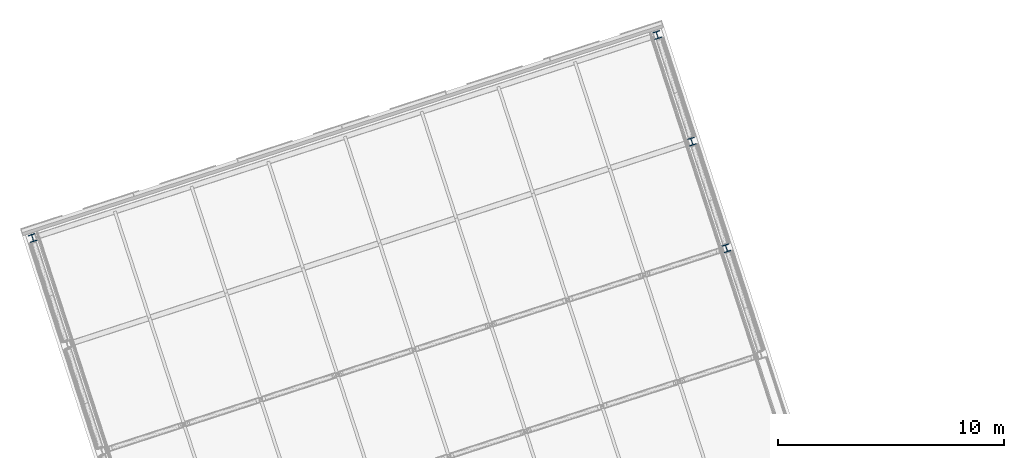
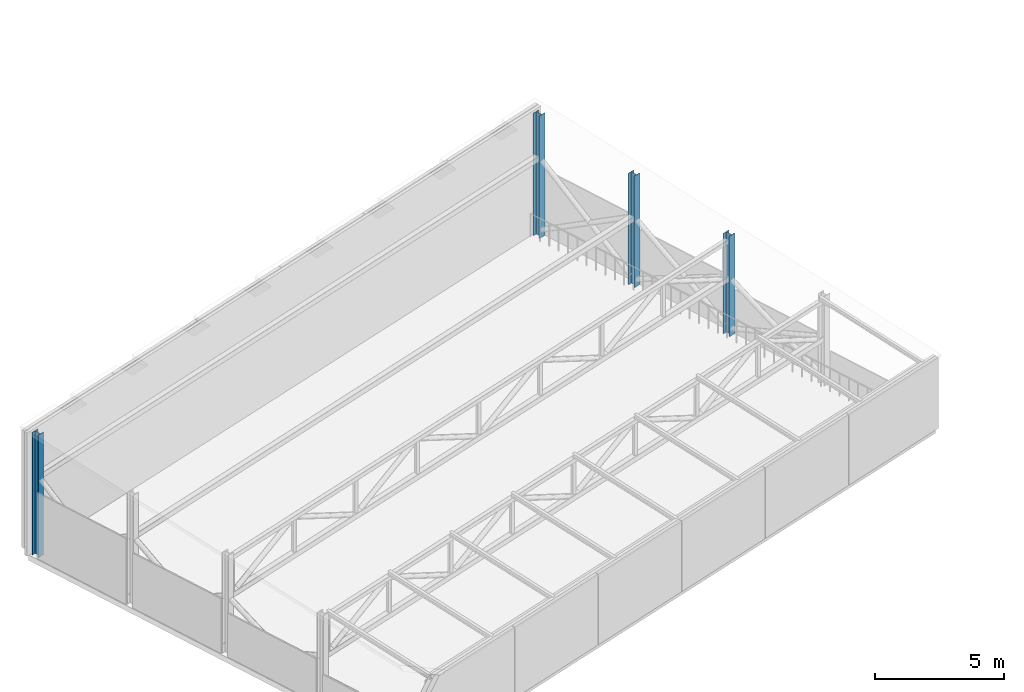
# One storey, part 3 of 49: 4 columns.
"""IFC4 building model written with IfcOpenShell, lengths in metres."""

from ifc_helpers import new_model, si_unit, direction, frame, origin, origin_2d, place, context, subcontext, project, spatial, i_section, extrude, material, material_profile, profile_set, type_object, element, save


model = new_model("IFC4")

# Units and contexts
model_context = context("Model", 3, precision=1e-05, world=origin(), true_north=direction((0.0, 1.0)))
body_context = subcontext(model_context, "Body", "Model", "MODEL_VIEW")
ifc_project = project(units=[si_unit("LENGTHUNIT", "METRE"), si_unit("AREAUNIT", "SQUARE_METRE"), si_unit("VOLUMEUNIT", "CUBIC_METRE"), si_unit("PLANEANGLEUNIT", "RADIAN"), si_unit("MASSUNIT", "GRAM", prefix="KILO")], contexts=[model_context])

# Site, building, storey
site_placement = place(None, origin())
site = spatial("IfcSite", under=ifc_project, at=site_placement, CompositionType="ELEMENT")
building_placement = place(site_placement, origin())
building = spatial("IfcBuilding", under=site, at=building_placement, Name="Tuart Plaza Theatre", CompositionType="ELEMENT")
storey_placement = place(building_placement, frame((0.0, 0.0, 29.5)))
storey = spatial("IfcBuildingStorey", under=building, at=storey_placement, Name="L07", CompositionType="ELEMENT", Elevation=29.5)

# Columns
ifc_material = material(Name="Steel Grade 300", Category="steel")
ifc_material_profile = material_profile(ifc_material, i_section(OverallWidth=0.31103515625, OverallDepth=0.326904296875, WebThickness=0.015625, FlangeThickness=0.02490234375, FilletRadius=0.0166015625, at=origin_2d()), Name="310UC158")
ifc_profile_set = profile_set([ifc_material_profile], Name="Steel Grade 300")
column_type = type_object("IfcColumnType", Name="COLUMN 310UC158", PredefinedType="COLUMN", material=ifc_profile_set)
column_1_placement = place(storey_placement, frame((65.80712890625, 87.19677734375, 0.0), z_axis=(0.0, 0.0, 1.0), x_axis=(0.951056516295, 0.309016994375, 0.0)))
element("IfcColumn", 1, at=column_1_placement, inside=storey, type_object=column_type, Name="SC8", PredefinedType="COLUMN", context=body_context, shape_type="SweptSolid", body=[
    extrude(i_section(OverallWidth=0.31103515625, OverallDepth=0.326904296875, WebThickness=0.015625, FlangeThickness=0.02490234375, FilletRadius=0.0166015625, at=origin_2d()), origin(), (0.0, 0.0, 1.0), 4.74267578125),
])
column_2_placement = place(storey_placement, frame((64.27734375, 91.904541015625, 0.0), z_axis=(0.0, 0.0, 1.0), x_axis=(0.951056516295, 0.309016994375, 0.0)))
element("IfcColumn", 2, at=column_2_placement, inside=storey, type_object=column_type, Name="SC10", PredefinedType="COLUMN", context=body_context, shape_type="SweptSolid", body=[
    extrude(i_section(OverallWidth=0.31103515625, OverallDepth=0.326904296875, WebThickness=0.015625, FlangeThickness=0.02490234375, FilletRadius=0.0166015625, at=origin_2d()), origin(), (0.0, 0.0, 1.0), 5.262939453125),
])
for number, where, z_axis, x_axis, name in (
    (3, (35.167236328125, 87.650634765625, 0.0), (0.0, 0.0, 1.0), (0.951056516295, 0.309016994375, 0.0), "SC11"),
    (4, (62.747802734375, 96.6123046875, 0.0), (0.0, 0.0, 1.0), (0.951056516295, 0.309016994375, 0.0), "SC17"),
):
    element("IfcColumn", number, at=place(storey_placement, frame(where, z_axis=z_axis, x_axis=x_axis)), inside=storey, type_object=column_type, Name=name, PredefinedType="COLUMN", context=body_context, shape_type="SweptSolid", body=[
        extrude(i_section(OverallWidth=0.31103515625, OverallDepth=0.326904296875, WebThickness=0.015625, FlangeThickness=0.02490234375, FilletRadius=0.0166015625, at=origin_2d()), origin(), (0.0, 0.0, 1.0), 5.783203125),
    ])

save(model, "model.ifc")
